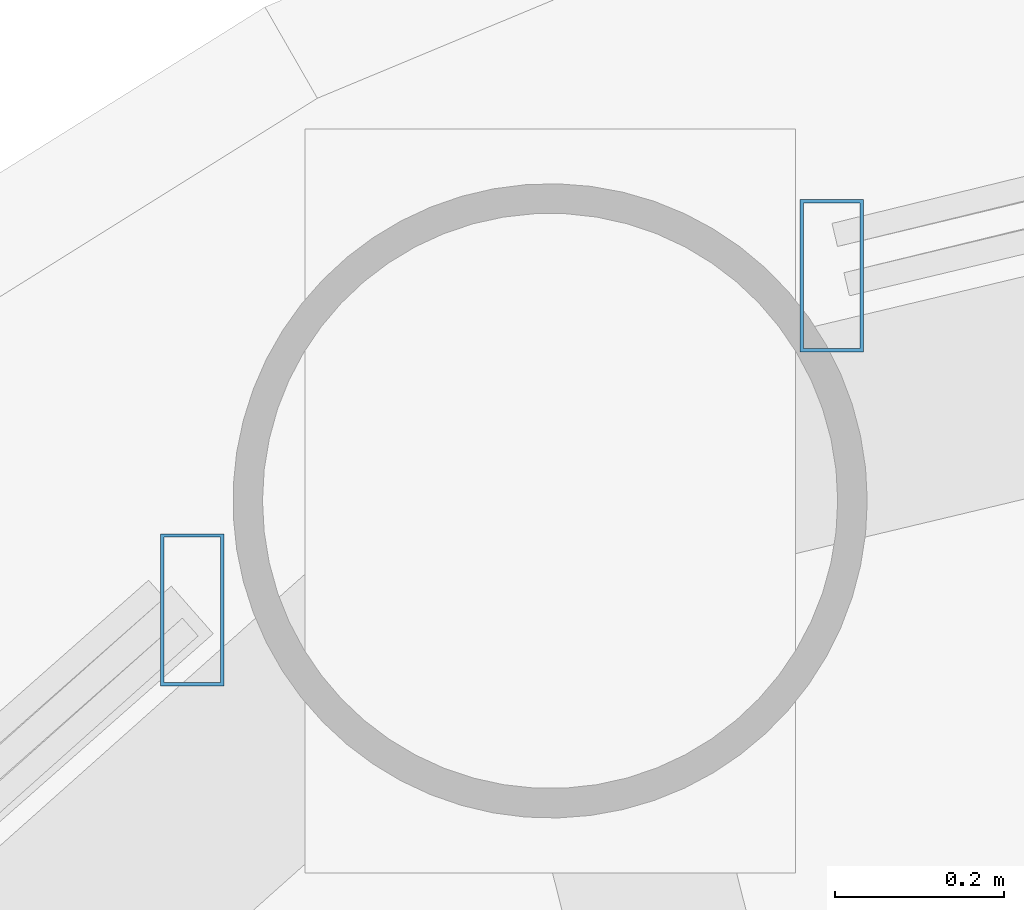
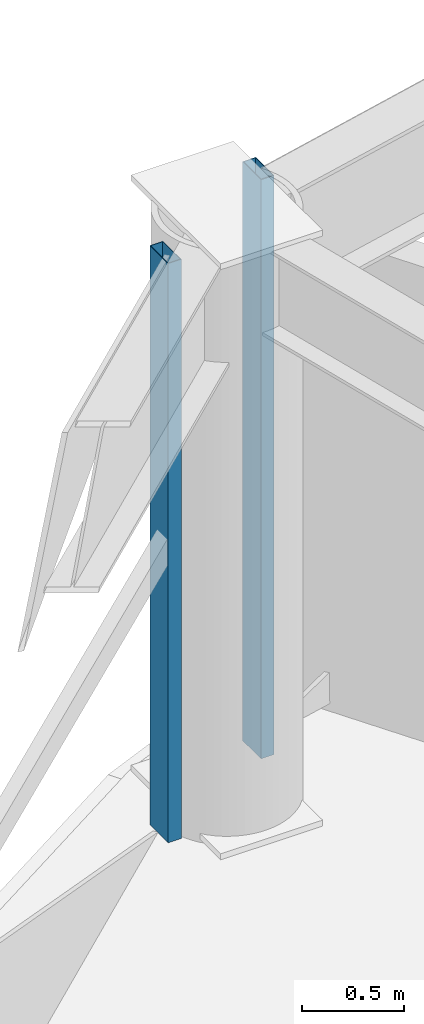
# One storey, part 16 of 31: 2 members, 2 elements without a shape of their own.
"""IFC4 building model written with IfcOpenShell, lengths in metres."""

from ifc_helpers import new_model, si_unit, direction, frame, origin, origin_2d, place, context, subcontext, project, spatial, hollow_rectangle, extrude, material, layer, layer_set, material_profile, profile_set, type_object, element, aggregate, save


model = new_model("IFC4")

# Units and contexts
model_context = context("Model", 3, precision=1e-05, world=origin(), true_north=direction((0.0, 1.0)))
body_context = subcontext(model_context, "Body", "Model", "MODEL_VIEW")
ifc_project = project(units=[si_unit("LENGTHUNIT", "METRE"), si_unit("AREAUNIT", "SQUARE_METRE"), si_unit("VOLUMEUNIT", "CUBIC_METRE"), si_unit("PLANEANGLEUNIT", "RADIAN"), si_unit("MASSUNIT", "GRAM", prefix="KILO")], contexts=[model_context])

# Site, building, storey
site_placement = place(None, origin())
site = spatial("IfcSite", under=ifc_project, at=site_placement, CompositionType="ELEMENT")
building_placement = place(site_placement, origin())
building = spatial("IfcBuilding", under=site, at=building_placement, Name="Vantalir Tower", CompositionType="ELEMENT")
storey_placement = place(building_placement, frame((0.0, 0.0, 115.949951171875)))
storey = spatial("IfcBuildingStorey", under=building, at=storey_placement, Name="L28", CompositionType="ELEMENT", Elevation=115.949951171875)

# Curtain wall, member
ifc_material_1 = material(Name="Champagne-silver PVDF aluminium and double-silver Low-E glass", Category="aluminium")
ifc_layer = layer(ifc_material_1, 0.199951171875)
ifc_layer_set = layer_set([ifc_layer], Name="Champagne-silver PVDF aluminium and double-silver Low-E glass")
curtain_wall_type = type_object("IfcCurtainWallType", Name="CW-DIAMOND-Z2", PredefinedType="USERDEFINED", material=ifc_layer_set)
curtain_wall_1_placement = place(storey_placement, origin())
curtain_wall_1 = element("IfcCurtainWall", 1, at=curtain_wall_1_placement, inside=storey, type_object=curtain_wall_type, Name="L28 Quilted Pyramid-Diamond Curtain Wall S04", ObjectType="UNITISED CURTAIN WALL", PredefinedType="USERDEFINED")
ifc_material_2 = material(Name="Champagne-silver PVDF aluminium 6063-T6", Category="aluminium")
ifc_material_profile = material_profile(ifc_material_2, hollow_rectangle(XDim=0.074951171875, YDim=0.179931640625, WallThickness=0.00390625, at=origin_2d()), Name="Champagne-silver PVDF aluminium 6063-T6")
ifc_profile_set = profile_set([ifc_material_profile], Name="Champagne-silver PVDF aluminium 6063-T6")
member_type = type_object("IfcMemberType", Name="CWM-180x75", PredefinedType="MULLION", material=ifc_profile_set)
member_1_placement = place(storey_placement, frame((19.1630859375, 44.80908203125, 0.045166015625), z_axis=(0.0, 0.0, 1.0), x_axis=(1.0, 0.0, 0.0)))
member_1 = element("IfcMember", 2, at=member_1_placement, type_object=member_type, Name="CW-L28-S04 Mullion 2", PredefinedType="MULLION", context=body_context, shape_type="SweptSolid", body=[
    extrude(hollow_rectangle(XDim=0.074951171875, YDim=0.179931640625, WallThickness=0.00390625, at=origin_2d()), origin(), (0.0, 0.0, 1.0), 3.47998046875),
])
aggregate(curtain_wall_1, [member_1])

curtain_wall_2_placement = place(storey_placement, origin())
curtain_wall_2 = element("IfcCurtainWall", 3, at=curtain_wall_2_placement, inside=storey, type_object=curtain_wall_type, Name="L28 Quilted Pyramid-Diamond Curtain Wall S05", ObjectType="UNITISED CURTAIN WALL", PredefinedType="USERDEFINED")
member_2_placement = place(storey_placement, frame((18.406982421875, 44.4140625, 0.045166015625), z_axis=(0.0, 0.0, 1.0), x_axis=(1.0, 0.0, 0.0)))
member_2 = element("IfcMember", 4, at=member_2_placement, type_object=member_type, Name="CW-L28-S05 Mullion 1", PredefinedType="MULLION", context=body_context, shape_type="SweptSolid", body=[
    extrude(hollow_rectangle(XDim=0.074951171875, YDim=0.179931640625, WallThickness=0.00390625, at=origin_2d()), origin(), (0.0, 0.0, 1.0), 3.47998046875),
])
aggregate(curtain_wall_2, [member_2])

save(model, "model.ifc")
